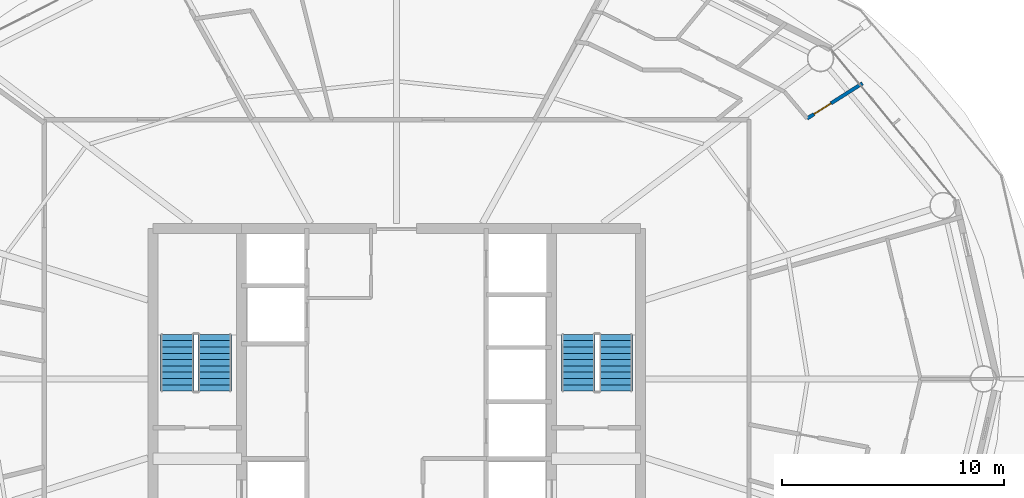
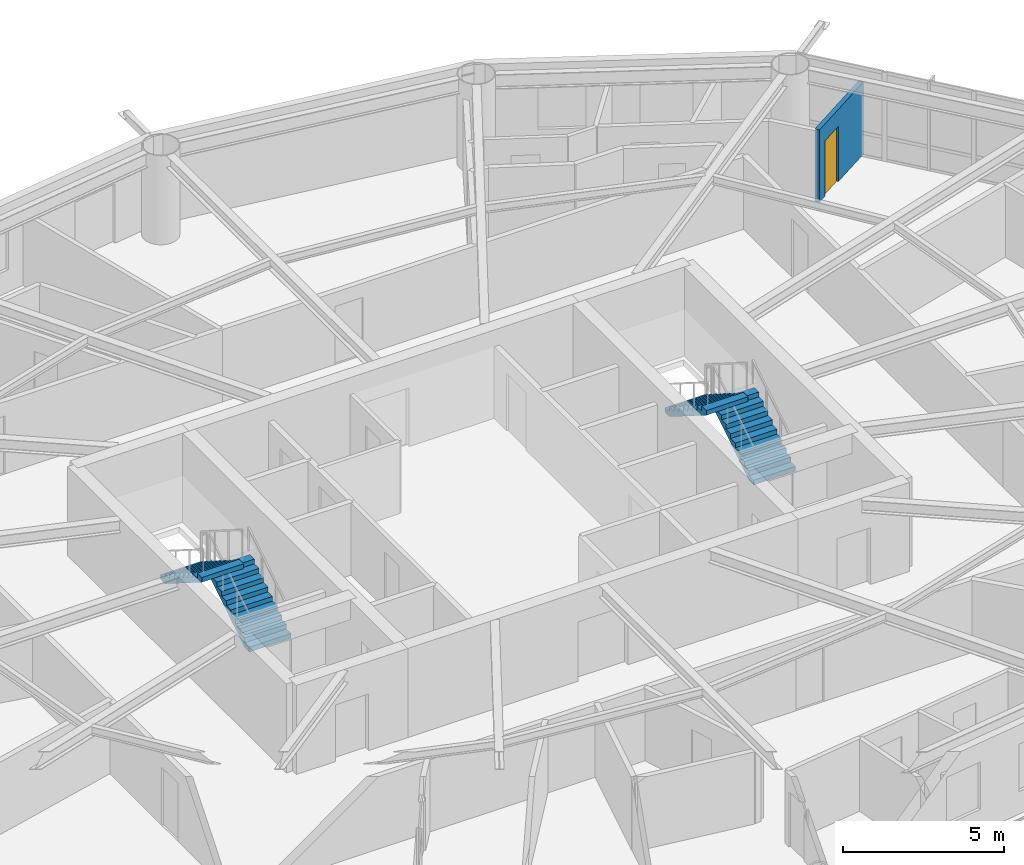
# One storey, part 24 of 27: 4 stair flights, 1 door, 1 wall, 1 opening, 2 elements without a shape of their own.
"""IFC4 building model written with IfcOpenShell, lengths in metres."""

from ifc_helpers import new_model, si_unit, direction, frame, frame_2d, origin, place, context, subcontext, project, spatial, polyline, rectangle, outline, extrude, material, layer, layer_set, type_object, element, fill, aggregate, save


model = new_model("IFC4")

# Units and contexts
model_context = context("Model", 3, precision=1e-05, world=origin(), true_north=direction((0.0, 1.0)))
body_context = subcontext(model_context, "Body", "Model", "MODEL_VIEW")
ifc_project = project(units=[si_unit("LENGTHUNIT", "METRE"), si_unit("AREAUNIT", "SQUARE_METRE"), si_unit("VOLUMEUNIT", "CUBIC_METRE"), si_unit("PLANEANGLEUNIT", "RADIAN"), si_unit("MASSUNIT", "GRAM", prefix="KILO")], contexts=[model_context])

# Site, building, storey
site_placement = place(None, origin())
site = spatial("IfcSite", under=ifc_project, at=site_placement, CompositionType="ELEMENT")
building_placement = place(site_placement, origin())
building = spatial("IfcBuilding", under=site, at=building_placement, Name="Sarneth Arch Tower", CompositionType="ELEMENT")
storey_placement = place(building_placement, frame((0.0, 0.0, 186.60009765625)))
storey = spatial("IfcBuildingStorey", under=building, at=storey_placement, Name="L47", CompositionType="ELEMENT", Elevation=186.60009765625)

# Wall, opening, door
ifc_material_1 = material(Name="Kitchen wet service chase wall", Category="gypsum")
ifc_layer = layer(ifc_material_1, 0.159912109375)
ifc_layer_set = layer_set([ifc_layer], Name="Kitchen wet service chase wall")
wall_type = type_object("IfcWallType", Name="WALL-PLUMB-160", PredefinedType="PLUMBINGWALL", material=ifc_layer_set)
wall_placement = place(storey_placement, frame((69.025634765625, 55.340087890625, 0.0), z_axis=(0.0, 0.0, 1.0), x_axis=(-0.844378276983, -0.5357474455, 0.0)))
wall = element("IfcWall", 1, at=wall_placement, inside=storey, type_object=wall_type, Name="L47 Interior partition W-L47-TP-022", PredefinedType="PLUMBINGWALL", context=body_context, shape_type="SweptSolid", body=[
    extrude(rectangle(XDim=2.9560546875, YDim=0.159912109375, at=frame_2d((1.47802734375, 0.0))), origin(), (0.0, 0.0, 1.0), 2.739990234375),
])
opening_placement = place(wall_placement, frame((1.68798828125, 0.0, 0.0)))
opening = element("IfcOpeningElement", 2, at=opening_placement, cuts=wall, Name="Opening ID-01", PredefinedType="OPENING", context=body_context, shape_type="SweptSolid", body=[
    extrude(rectangle(XDim=0.89990234375, YDim=2.10009765625, at=frame_2d((0.449951171875, 1.050048828125))), frame((0.0, 0.08984375, 0.0), z_axis=(0.0, -1.0, 0.0), x_axis=(1.0, 0.0, 0.0)), (0.0, 0.0, 1.0), 0.179931640625),
])
ifc_material_2 = material(Name="Engineered hardwood flush door", Category="wood")
door_type = type_object("IfcDoorType", Name="DR-INT-900", OperationType="SINGLE_SWING_LEFT", PredefinedType="DOOR", material=ifc_material_2)
door_placement = place(opening_placement, origin())
door = element("IfcDoor", 3, at=door_placement, inside=storey, type_object=door_type, Name="L47 Interior door DR-L47-U1-KIT", OperationType="SINGLE_SWING_RIGHT", OverallHeight=2.10009765625, OverallWidth=0.89990234375, PredefinedType="DOOR", context=body_context, shape_type="SweptSolid", body=[
    extrude(rectangle(XDim=0.89990234375, YDim=2.10009765625, at=frame_2d((0.449951171875, 1.050048828125))), frame((0.0, 0.02490234375, 0.0), z_axis=(0.0, -1.0, 0.0), x_axis=(1.0, 0.0, 0.0)), (0.0, 0.0, 1.0), 0.050048828125),
])
fill(opening, door)

# Stair, stair flights
ifc_material_3 = material(Name="Concrete C50/60", Category="concrete")
stair_type = type_object("IfcStairType", Name="STAIR-CORE-RC", PredefinedType="HALF_TURN_STAIR", material=ifc_material_3)
stair_1_placement = place(storey_placement, origin())
stair_1 = element("IfcStair", 4, at=stair_1_placement, inside=storey, type_object=stair_type, Name="L47 Core Exit Stair 1", PredefinedType="HALF_TURN_STAIR")
ifc_material_4 = material(Name="Concrete C50/60", Category="concrete")
stair_flight_type = type_object("IfcStairFlightType", Name="FLIGHT-RC-1500", PredefinedType="STRAIGHT", material=ifc_material_4)
stair_flight_1_placement = place(storey_placement, frame((39.800048828125, 41.449951171875, 0.0), z_axis=(0.0, 0.0, 1.0), x_axis=(0.0, 1.0, 0.0)))
stair_flight_1 = element("IfcStairFlight", 5, at=stair_flight_1_placement, type_object=stair_flight_type, Name="ST-1 flight 1", NumberOfRisers=10, NumberOfTreads=9, PredefinedType="STRAIGHT", RiserHeight=0.18, TreadLength=0.285, context=body_context, shape_type="SweptSolid", body=[
    extrude(outline(polyline([(0.0, 0.0), (0.0, 0.179931640625), (0.284912109375, 0.179931640625), (0.284912109375, 0.360107421875), (0.570068359375, 0.360107421875), (0.570068359375, 0.5400390625), (0.85498046875, 0.5400390625), (0.85498046875, 0.719970703125), (1.139892578125, 0.719970703125), (1.139892578125, 0.89990234375), (1.425048828125, 0.89990234375), (1.425048828125, 1.080078125), (1.7099609375, 1.080078125), (1.7099609375, 1.260009765625), (1.9951171875, 1.260009765625), (1.9951171875, 1.43994140625), (2.280029296875, 1.43994140625), (2.280029296875, 1.6201171875), (2.56494140625, 1.6201171875), (2.56494140625, 1.800048828125), (2.56494140625, 1.442626953125), (0.28076171875, 0.0), (0.0, 0.0)])), frame((0.0, 0.75, 0.0), z_axis=(0.0, -1.0, 0.0), x_axis=(1.0, 0.0, 0.0)), (0.0, 0.0, 1.0), 1.5),
])
stair_flight_2_placement = place(storey_placement, frame((38.10009765625, 44.014892578125, 1.7998046875), z_axis=(0.0, 0.0, 1.0), x_axis=(0.0, -1.0, 0.0)))
stair_flight_2 = element("IfcStairFlight", 6, at=stair_flight_2_placement, type_object=stair_flight_type, Name="ST-1 flight 2", NumberOfRisers=10, NumberOfTreads=9, PredefinedType="STRAIGHT", RiserHeight=0.18, TreadLength=0.285, context=body_context, shape_type="SweptSolid", body=[
    extrude(outline(polyline([(0.0, 0.0), (0.0, 0.179931640625), (0.284912109375, 0.179931640625), (0.284912109375, 0.360107421875), (0.570068359375, 0.360107421875), (0.570068359375, 0.5400390625), (0.85498046875, 0.5400390625), (0.85498046875, 0.719970703125), (1.139892578125, 0.719970703125), (1.139892578125, 0.89990234375), (1.425048828125, 0.89990234375), (1.425048828125, 1.080078125), (1.7099609375, 1.080078125), (1.7099609375, 1.260009765625), (1.9951171875, 1.260009765625), (1.9951171875, 1.43994140625), (2.280029296875, 1.43994140625), (2.280029296875, 1.6201171875), (2.56494140625, 1.6201171875), (2.56494140625, 1.800048828125), (2.56494140625, 1.442626953125), (0.28076171875, 0.0), (0.0, 0.0)])), frame((0.0, 0.75, 0.0), z_axis=(0.0, -1.0, 0.0), x_axis=(1.0, 0.0, 0.0)), (0.0, 0.0, 1.0), 1.5),
])
aggregate(stair_1, [stair_flight_1, stair_flight_2])

stair_2_placement = place(storey_placement, origin())
stair_2 = element("IfcStair", 7, at=stair_2_placement, inside=storey, type_object=stair_type, Name="L47 Core Exit Stair 2", PredefinedType="HALF_TURN_STAIR")
stair_flight_3_placement = place(storey_placement, frame((57.89990234375, 41.449951171875, 0.0), z_axis=(0.0, 0.0, 1.0), x_axis=(0.0, 1.0, 0.0)))
stair_flight_3 = element("IfcStairFlight", 8, at=stair_flight_3_placement, type_object=stair_flight_type, Name="ST-2 flight 1", NumberOfRisers=10, NumberOfTreads=9, PredefinedType="STRAIGHT", RiserHeight=0.18, TreadLength=0.285, context=body_context, shape_type="SweptSolid", body=[
    extrude(outline(polyline([(0.0, 0.0), (0.0, 0.179931640625), (0.284912109375, 0.179931640625), (0.284912109375, 0.360107421875), (0.570068359375, 0.360107421875), (0.570068359375, 0.5400390625), (0.85498046875, 0.5400390625), (0.85498046875, 0.719970703125), (1.139892578125, 0.719970703125), (1.139892578125, 0.89990234375), (1.425048828125, 0.89990234375), (1.425048828125, 1.080078125), (1.7099609375, 1.080078125), (1.7099609375, 1.260009765625), (1.9951171875, 1.260009765625), (1.9951171875, 1.43994140625), (2.280029296875, 1.43994140625), (2.280029296875, 1.6201171875), (2.56494140625, 1.6201171875), (2.56494140625, 1.800048828125), (2.56494140625, 1.442626953125), (0.28076171875, 0.0), (0.0, 0.0)])), frame((0.0, 0.75, 0.0), z_axis=(0.0, -1.0, 0.0), x_axis=(1.0, 0.0, 0.0)), (0.0, 0.0, 1.0), 1.5),
])
stair_flight_4_placement = place(storey_placement, frame((56.199951171875, 44.014892578125, 1.7998046875), z_axis=(0.0, 0.0, 1.0), x_axis=(0.0, -1.0, 0.0)))
stair_flight_4 = element("IfcStairFlight", 9, at=stair_flight_4_placement, type_object=stair_flight_type, Name="ST-2 flight 2", NumberOfRisers=10, NumberOfTreads=9, PredefinedType="STRAIGHT", RiserHeight=0.18, TreadLength=0.285, context=body_context, shape_type="SweptSolid", body=[
    extrude(outline(polyline([(0.0, 0.0), (0.0, 0.179931640625), (0.284912109375, 0.179931640625), (0.284912109375, 0.360107421875), (0.570068359375, 0.360107421875), (0.570068359375, 0.5400390625), (0.85498046875, 0.5400390625), (0.85498046875, 0.719970703125), (1.139892578125, 0.719970703125), (1.139892578125, 0.89990234375), (1.425048828125, 0.89990234375), (1.425048828125, 1.080078125), (1.7099609375, 1.080078125), (1.7099609375, 1.260009765625), (1.9951171875, 1.260009765625), (1.9951171875, 1.43994140625), (2.280029296875, 1.43994140625), (2.280029296875, 1.6201171875), (2.56494140625, 1.6201171875), (2.56494140625, 1.800048828125), (2.56494140625, 1.442626953125), (0.28076171875, 0.0), (0.0, 0.0)])), frame((0.0, 0.75, 0.0), z_axis=(0.0, -1.0, 0.0), x_axis=(1.0, 0.0, 0.0)), (0.0, 0.0, 1.0), 1.5),
])
aggregate(stair_2, [stair_flight_3, stair_flight_4])

save(model, "model.ifc")
